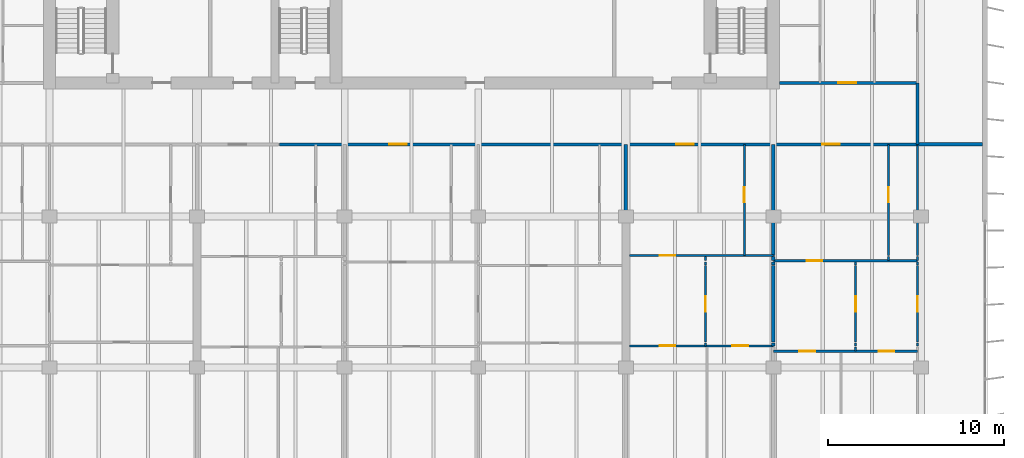
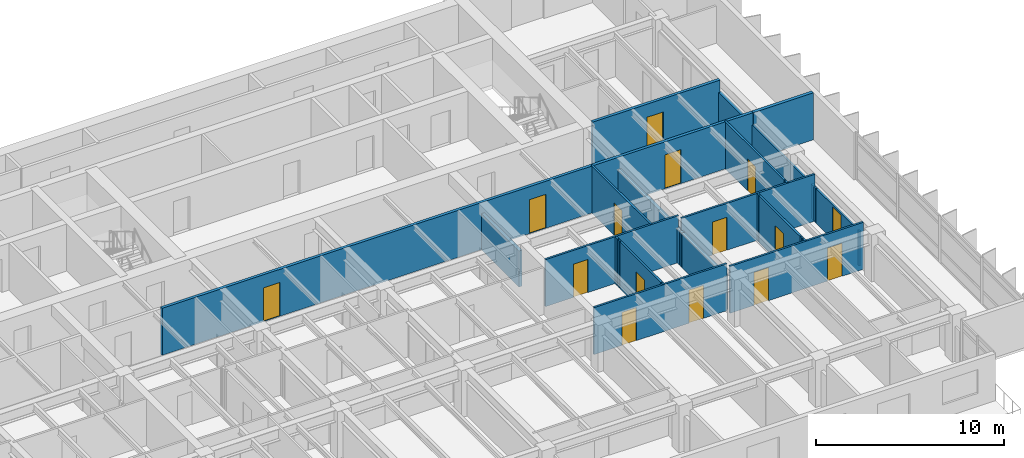
# One storey, part 12 of 19: 30 walls, 15 doors, 15 openings.
"""IFC4 building model written with IfcOpenShell, lengths in metres."""

from ifc_helpers import new_model, si_unit, direction, frame, frame_2d, origin, place, context, subcontext, project, spatial, rectangle, extrude, material, layer, layer_set, type_object, element, fill, save


model = new_model("IFC4")

# Units and contexts
model_context = context("Model", 3, precision=1e-05, world=origin(), true_north=direction((0.0, 1.0)))
body_context = subcontext(model_context, "Body", "Model", "MODEL_VIEW")
ifc_project = project(units=[si_unit("LENGTHUNIT", "METRE"), si_unit("AREAUNIT", "SQUARE_METRE"), si_unit("VOLUMEUNIT", "CUBIC_METRE"), si_unit("PLANEANGLEUNIT", "RADIAN"), si_unit("MASSUNIT", "GRAM", prefix="KILO")], contexts=[model_context])

# Site, building, storey
site_placement = place(None, origin())
site = spatial("IfcSite", under=ifc_project, at=site_placement, CompositionType="ELEMENT")
building_placement = place(site_placement, origin())
building = spatial("IfcBuilding", under=site, at=building_placement, Name="Caelmar Bay Residences", CompositionType="ELEMENT")
storey_placement = place(building_placement, frame((0.0, 0.0, 188.39990234375)))
storey = spatial("IfcBuildingStorey", under=building, at=storey_placement, Name="L52", CompositionType="ELEMENT", Elevation=188.39990234375)

# Wall
ifc_material_1 = material(Name="Double-stud acoustic fire-rated gypsum partition 180 mm")
ifc_layer_1 = layer(ifc_material_1, 0.179931640625)
ifc_layer_set_1 = layer_set([ifc_layer_1], Name="Double-stud acoustic fire-rated gypsum partition 180 mm")
wall_type_1 = type_object("IfcWallType", Name="W-COR-200", PredefinedType="PARTITIONING", material=ifc_layer_set_1)
wall_1_placement = place(storey_placement, frame((67.699951171875, 33.5048828125, 0.0), z_axis=(0.0, 0.0, 1.0), x_axis=(0.0, 1.0, 0.0)))
element("IfcWall", 1, at=wall_1_placement, inside=storey, type_object=wall_type_1, Name="L52 Partition Wall V101", PredefinedType="PARTITIONING", context=body_context, shape_type="SweptSolid", body=[
    extrude(rectangle(XDim=3.4951171875, YDim=0.179931640625, at=frame_2d((1.74755859375, 0.0))), origin(), (0.0, 0.0, 1.0), 2.26318359375),
])

# Wall, openings, doors
wall_2_placement = place(storey_placement, frame((31.39990234375, 33.5, 0.0), z_axis=(0.0, 0.0, 1.0), x_axis=(1.0, 0.0, 0.0)))
wall_2 = element("IfcWall", 2, at=wall_2_placement, inside=storey, type_object=wall_type_1, Name="L52 Partition Wall H126", PredefinedType="PARTITIONING", context=body_context, shape_type="SweptSolid", body=[
    extrude(rectangle(XDim=36.300048828125, YDim=0.179931640625, at=frame_2d((18.14990234375, 0.0))), origin(), (0.0, 0.0, 1.0), 3.050048828125),
])
opening_1_placement = place(wall_2_placement, frame((6.2314453125, 0.0, 0.0)))
opening_1 = element("IfcOpeningElement", 3, at=opening_1_placement, cuts=wall_2, Name="Opening D-L52-139", PredefinedType="OPENING", context=body_context, shape_type="SweptSolid", body=[
    extrude(rectangle(XDim=1.0, YDim=2.199951171875, at=frame_2d((0.5, 1.10009765625))), frame((0.0, 0.099853515625, 0.0), z_axis=(0.0, -1.0, 0.0), x_axis=(1.0, 0.0, 0.0)), (0.0, 0.0, 1.0), 0.199951171875),
])
opening_2_placement = place(wall_2_placement, frame((22.574951171875, 0.0, 0.0)))
opening_2 = element("IfcOpeningElement", 4, at=opening_2_placement, cuts=wall_2, Name="Opening D-L52-148", PredefinedType="OPENING", context=body_context, shape_type="SweptSolid", body=[
    extrude(rectangle(XDim=1.0, YDim=2.199951171875, at=frame_2d((0.5, 1.10009765625))), frame((0.0, 0.099853515625, 0.0), z_axis=(0.0, -1.0, 0.0), x_axis=(1.0, 0.0, 0.0)), (0.0, 0.0, 1.0), 0.199951171875),
])
opening_3_placement = place(wall_2_placement, frame((30.875, 0.0, 0.0)))
opening_3 = element("IfcOpeningElement", 5, at=opening_3_placement, cuts=wall_2, Name="Opening D-L52-154", PredefinedType="OPENING", context=body_context, shape_type="SweptSolid", body=[
    extrude(rectangle(XDim=1.0, YDim=2.199951171875, at=frame_2d((0.5, 1.10009765625))), frame((0.0, 0.099853515625, 0.0), z_axis=(0.0, -1.0, 0.0), x_axis=(1.0, 0.0, 0.0)), (0.0, 0.0, 1.0), 0.199951171875),
])
ifc_material_2 = material(Name="Fire-rated steel and walnut architectural door assembly", Category="steel")
ifc_layer_2 = layer(ifc_material_2, 0.050048828125)
ifc_layer_set_2 = layer_set([ifc_layer_2], Name="Fire-rated steel and walnut architectural door assembly")
door_type_1 = type_object("IfcDoorType", Name="D-UNIT-1000", OperationType="NOTDEFINED", PredefinedType="DOOR", material=ifc_layer_set_2)
door_1_placement = place(opening_1_placement, origin())
door_1 = element("IfcDoor", 6, at=door_1_placement, inside=storey, type_object=door_type_1, Name="L52 Residence 03 Apartment Hall Door", OperationType="SINGLE_SWING_LEFT", OverallHeight=2.199951171875, OverallWidth=1.0, PredefinedType="DOOR", context=body_context, shape_type="SweptSolid", body=[
    extrude(rectangle(XDim=1.0, YDim=2.199951171875, at=frame_2d((0.5, 1.10009765625))), frame((0.0, 0.02490234375, 0.0), z_axis=(0.0, -1.0, 0.0), x_axis=(1.0, 0.0, 0.0)), (0.0, 0.0, 1.0), 0.050048828125),
])
fill(opening_1, door_1)
door_2_placement = place(opening_2_placement, origin())
door_2 = element("IfcDoor", 7, at=door_2_placement, inside=storey, type_object=door_type_1, Name="L52 Residence 04 Apartment Hall Door", OperationType="SINGLE_SWING_RIGHT", OverallHeight=2.199951171875, OverallWidth=1.0, PredefinedType="DOOR", context=body_context, shape_type="SweptSolid", body=[
    extrude(rectangle(XDim=1.0, YDim=2.199951171875, at=frame_2d((0.5, 1.10009765625))), frame((0.0, 0.02490234375, 0.0), z_axis=(0.0, -1.0, 0.0), x_axis=(1.0, 0.0, 0.0)), (0.0, 0.0, 1.0), 0.050048828125),
])
fill(opening_2, door_2)
door_3_placement = place(opening_3_placement, origin())
door_3 = element("IfcDoor", 8, at=door_3_placement, inside=storey, type_object=door_type_1, Name="L52 Residence 05 Apartment Hall Door", OperationType="SINGLE_SWING_RIGHT", OverallHeight=2.199951171875, OverallWidth=1.0, PredefinedType="DOOR", context=body_context, shape_type="SweptSolid", body=[
    extrude(rectangle(XDim=1.0, YDim=2.199951171875, at=frame_2d((0.5, 1.10009765625))), frame((0.0, 0.02490234375, 0.0), z_axis=(0.0, -1.0, 0.0), x_axis=(1.0, 0.0, 0.0)), (0.0, 0.0, 1.0), 0.050048828125),
])
fill(opening_3, door_3)

# Wall, opening, door
wall_3_placement = place(storey_placement, frame((59.85498046875, 37.0, 0.0), z_axis=(0.0, 0.0, 1.0), x_axis=(1.0, 0.0, 0.0)))
wall_3 = element("IfcWall", 9, at=wall_3_placement, inside=storey, type_object=wall_type_1, Name="L52 Partition Wall H129", PredefinedType="PARTITIONING", context=body_context, shape_type="SweptSolid", body=[
    extrude(rectangle(XDim=7.844970703125, YDim=0.179931640625, at=frame_2d((3.92236328125, 0.0))), origin(), (0.0, 0.0, 1.0), 3.050048828125),
])
opening_4_placement = place(wall_3_placement, frame((3.34912109375, 0.0, 0.0)))
opening_4 = element("IfcOpeningElement", 10, at=opening_4_placement, cuts=wall_3, Name="Opening D-L52-171", PredefinedType="OPENING", context=body_context, shape_type="SweptSolid", body=[
    extrude(rectangle(XDim=1.0, YDim=2.199951171875, at=frame_2d((0.5, 1.10009765625))), frame((0.0, 0.099853515625, 0.0), z_axis=(0.0, -1.0, 0.0), x_axis=(1.0, 0.0, 0.0)), (0.0, 0.0, 1.0), 0.199951171875),
])
door_4_placement = place(opening_4_placement, origin())
door_4 = element("IfcDoor", 11, at=door_4_placement, inside=storey, type_object=door_type_1, Name="L52 Residence EA Kitchen Door", OperationType="SINGLE_SWING_LEFT", OverallHeight=2.199951171875, OverallWidth=1.0, PredefinedType="DOOR", context=body_context, shape_type="SweptSolid", body=[
    extrude(rectangle(XDim=1.0, YDim=2.199951171875, at=frame_2d((0.5, 1.10009765625))), frame((0.0, 0.02490234375, 0.0), z_axis=(0.0, -1.0, 0.0), x_axis=(1.0, 0.0, 0.0)), (0.0, 0.0, 1.0), 0.050048828125),
])
fill(opening_4, door_4)

# Wall
ifc_material_3 = material(Name="Acoustic metal-stud gypsum partition 120 mm")
ifc_layer_3 = layer(ifc_material_3, 0.1201171875)
ifc_layer_set_3 = layer_set([ifc_layer_3], Name="Acoustic metal-stud gypsum partition 120 mm")
wall_type_2 = type_object("IfcWallType", Name="W-PRT-120", PredefinedType="PARTITIONING", material=ifc_layer_set_3)
wall_4_placement = place(storey_placement, frame((55.635986328125, 22.0400390625, 0.0), z_axis=(0.0, 0.0, 1.0), x_axis=(0.0, 1.0, 0.0)))
element("IfcWall", 12, at=wall_4_placement, inside=storey, type_object=wall_type_2, Name="L52 Partition Wall V070", PredefinedType="PARTITIONING", context=body_context, shape_type="SweptSolid", body=[
    extrude(rectangle(XDim=0.159912109375, YDim=0.1201171875, at=frame_2d((0.080078125, 0.0))), origin(), (0.0, 0.0, 1.0), 3.050048828125),
])

# Wall, opening, door
wall_5_placement = place(storey_placement, frame((55.635986328125, 22.239990234375, 0.0), z_axis=(0.0, 0.0, 1.0), x_axis=(0.0, 1.0, 0.0)))
wall_5 = element("IfcWall", 13, at=wall_5_placement, inside=storey, type_object=wall_type_2, Name="L52 Partition Wall V071", PredefinedType="PARTITIONING", context=body_context, shape_type="SweptSolid", body=[
    extrude(rectangle(XDim=4.360107421875, YDim=0.1201171875, at=frame_2d((2.18017578125, 0.0))), origin(), (0.0, 0.0, 1.0), 3.050048828125),
])
opening_5_placement = place(wall_5_placement, frame((1.72998046875, 0.0, 0.0)))
opening_5 = element("IfcOpeningElement", 14, at=opening_5_placement, cuts=wall_5, Name="Opening D-L52-151", PredefinedType="OPENING", context=body_context, shape_type="SweptSolid", body=[
    extrude(rectangle(XDim=0.89990234375, YDim=2.14990234375, at=frame_2d((0.449951171875, 1.074951171875))), frame((0.0, 0.070068359375, 0.0), z_axis=(0.0, -1.0, 0.0), x_axis=(1.0, 0.0, 0.0)), (0.0, 0.0, 1.0), 0.14013671875),
])
ifc_material_4 = material(Name="Solid walnut timber interior door leaf and frame", Category="wood")
ifc_layer_4 = layer(ifc_material_4, 0.050048828125)
ifc_layer_set_4 = layer_set([ifc_layer_4], Name="Solid walnut timber interior door leaf and frame")
door_type_2 = type_object("IfcDoorType", Name="D-ROOM-900", OperationType="NOTDEFINED", PredefinedType="DOOR", material=ifc_layer_set_4)
door_5_placement = place(opening_5_placement, origin())
door_5 = element("IfcDoor", 15, at=door_5_placement, inside=storey, type_object=door_type_2, Name="L52 Residence 04 Private Meeting Room Door", OperationType="SINGLE_SWING_LEFT", OverallHeight=2.14990234375, OverallWidth=0.89990234375, PredefinedType="DOOR", context=body_context, shape_type="SweptSolid", body=[
    extrude(rectangle(XDim=0.89990234375, YDim=2.14990234375, at=frame_2d((0.449951171875, 1.074951171875))), frame((0.0, 0.02490234375, 0.0), z_axis=(0.0, -1.0, 0.0), x_axis=(1.0, 0.0, 0.0)), (0.0, 0.0, 1.0), 0.050048828125),
])
fill(opening_5, door_5)

# Walls
wall_6_placement = place(storey_placement, frame((55.635986328125, 26.639892578125, 0.0), z_axis=(0.0, 0.0, 1.0), x_axis=(0.0, 1.0, 0.0)))
element("IfcWall", 16, at=wall_6_placement, inside=storey, type_object=wall_type_2, Name="L52 Partition Wall V072", PredefinedType="PARTITIONING", context=body_context, shape_type="SweptSolid", body=[
    extrude(rectangle(XDim=0.16015625, YDim=0.1201171875, at=frame_2d((0.080078125, 0.0))), origin(), (0.0, 0.0, 1.0), 3.050048828125),
])
wall_7_placement = place(storey_placement, frame((55.635986328125, 26.8798828125, 0.0), z_axis=(0.0, 0.0, 1.0), x_axis=(0.0, 1.0, 0.0)))
element("IfcWall", 17, at=wall_7_placement, inside=storey, type_object=wall_type_2, Name="L52 Partition Wall V073", PredefinedType="PARTITIONING", context=body_context, shape_type="SweptSolid", body=[
    extrude(rectangle(XDim=0.240234375, YDim=0.1201171875, at=frame_2d((0.1201171875, 0.0))), origin(), (0.0, 0.0, 1.0), 3.050048828125),
])

# Wall, opening, door
wall_8_placement = place(storey_placement, frame((57.85009765625, 27.179931640625, 0.0), z_axis=(0.0, 0.0, 1.0), x_axis=(0.0, 1.0, 0.0)))
wall_8 = element("IfcWall", 18, at=wall_8_placement, inside=storey, type_object=wall_type_2, Name="L52 Partition Wall V077", PredefinedType="PARTITIONING", context=body_context, shape_type="SweptSolid", body=[
    extrude(rectangle(XDim=6.320068359375, YDim=0.1201171875, at=frame_2d((3.16015625, 0.0))), origin(), (0.0, 0.0, 1.0), 3.050048828125),
])
opening_6_placement = place(wall_8_placement, frame((3.034912109375, 0.0, 0.0)))
opening_6 = element("IfcOpeningElement", 19, at=opening_6_placement, cuts=wall_8, Name="Opening D-L52-149", PredefinedType="OPENING", context=body_context, shape_type="SweptSolid", body=[
    extrude(rectangle(XDim=0.85009765625, YDim=2.10009765625, at=frame_2d((0.425048828125, 1.050048828125))), frame((0.0, 0.070068359375, 0.0), z_axis=(0.0, -1.0, 0.0), x_axis=(1.0, 0.0, 0.0)), (0.0, 0.0, 1.0), 0.14013671875),
])
ifc_layer_5 = layer(ifc_material_4, 0.050048828125)
ifc_layer_set_5 = layer_set([ifc_layer_5], Name="Solid walnut timber interior door leaf and frame")
door_type_3 = type_object("IfcDoorType", Name="D-BATH-850", OperationType="NOTDEFINED", PredefinedType="DOOR", material=ifc_layer_set_5)
door_6_placement = place(opening_6_placement, origin())
door_6 = element("IfcDoor", 20, at=door_6_placement, inside=storey, type_object=door_type_3, Name="L52 Residence 04 Bathroom Door", OperationType="SINGLE_SWING_LEFT", OverallHeight=2.10009765625, OverallWidth=0.85009765625, PredefinedType="DOOR", context=body_context, shape_type="SweptSolid", body=[
    extrude(rectangle(XDim=0.85009765625, YDim=2.10009765625, at=frame_2d((0.425048828125, 1.050048828125))), frame((0.0, 0.02490234375, 0.0), z_axis=(0.0, -1.0, 0.0), x_axis=(1.0, 0.0, 0.0)), (0.0, 0.0, 1.0), 0.050048828125),
])
fill(opening_6, door_6)

# Walls
wall_9_placement = place(storey_placement, frame((64.177978515625, 21.72998046875, 0.0), z_axis=(0.0, 0.0, 1.0), x_axis=(0.0, 1.0, 0.0)))
element("IfcWall", 21, at=wall_9_placement, inside=storey, type_object=wall_type_2, Name="L52 Partition Wall V088", PredefinedType="PARTITIONING", context=body_context, shape_type="SweptSolid", body=[
    extrude(rectangle(XDim=0.239990234375, YDim=0.1201171875, at=frame_2d((0.1201171875, 0.0))), origin(), (0.0, 0.0, 1.0), 3.050048828125),
])
wall_10_placement = place(storey_placement, frame((64.177978515625, 22.0400390625, 0.0), z_axis=(0.0, 0.0, 1.0), x_axis=(0.0, 1.0, 0.0)))
element("IfcWall", 22, at=wall_10_placement, inside=storey, type_object=wall_type_2, Name="L52 Partition Wall V089", PredefinedType="PARTITIONING", context=body_context, shape_type="SweptSolid", body=[
    extrude(rectangle(XDim=0.159912109375, YDim=0.1201171875, at=frame_2d((0.080078125, 0.0))), origin(), (0.0, 0.0, 1.0), 3.050048828125),
])

# Wall, opening, door
wall_11_placement = place(storey_placement, frame((64.177978515625, 22.239990234375, 0.0), z_axis=(0.0, 0.0, 1.0), x_axis=(0.0, 1.0, 0.0)))
wall_11 = element("IfcWall", 23, at=wall_11_placement, inside=storey, type_object=wall_type_2, Name="L52 Partition Wall V090", PredefinedType="PARTITIONING", context=body_context, shape_type="SweptSolid", body=[
    extrude(rectangle(XDim=4.360107421875, YDim=0.1201171875, at=frame_2d((2.18017578125, 0.0))), origin(), (0.0, 0.0, 1.0), 3.050048828125),
])
opening_7_placement = place(wall_11_placement, frame((1.72998046875, 0.0, 0.0)))
opening_7 = element("IfcOpeningElement", 24, at=opening_7_placement, cuts=wall_11, Name="Opening D-L52-157", PredefinedType="OPENING", context=body_context, shape_type="SweptSolid", body=[
    extrude(rectangle(XDim=0.89990234375, YDim=2.14990234375, at=frame_2d((0.449951171875, 1.074951171875))), frame((0.0, 0.070068359375, 0.0), z_axis=(0.0, -1.0, 0.0), x_axis=(1.0, 0.0, 0.0)), (0.0, 0.0, 1.0), 0.14013671875),
])
door_7_placement = place(opening_7_placement, origin())
door_7 = element("IfcDoor", 25, at=door_7_placement, inside=storey, type_object=door_type_2, Name="L52 Residence 05 Private Meeting Room Door", OperationType="SINGLE_SWING_LEFT", OverallHeight=2.14990234375, OverallWidth=0.89990234375, PredefinedType="DOOR", context=body_context, shape_type="SweptSolid", body=[
    extrude(rectangle(XDim=0.89990234375, YDim=2.14990234375, at=frame_2d((0.449951171875, 1.074951171875))), frame((0.0, 0.02490234375, 0.0), z_axis=(0.0, -1.0, 0.0), x_axis=(1.0, 0.0, 0.0)), (0.0, 0.0, 1.0), 0.050048828125),
])
fill(opening_7, door_7)

# Walls
wall_12_placement = place(storey_placement, frame((64.177978515625, 26.639892578125, 0.0), z_axis=(0.0, 0.0, 1.0), x_axis=(0.0, 1.0, 0.0)))
element("IfcWall", 26, at=wall_12_placement, inside=storey, type_object=wall_type_2, Name="L52 Partition Wall V091", PredefinedType="PARTITIONING", context=body_context, shape_type="SweptSolid", body=[
    extrude(rectangle(XDim=0.16015625, YDim=0.1201171875, at=frame_2d((0.080078125, 0.0))), origin(), (0.0, 0.0, 1.0), 3.050048828125),
])
wall_13_placement = place(storey_placement, frame((66.050048828125, 26.8798828125, 0.0), z_axis=(0.0, 0.0, 1.0), x_axis=(0.0, 1.0, 0.0)))
element("IfcWall", 27, at=wall_13_placement, inside=storey, type_object=wall_type_2, Name="L52 Partition Wall V093", PredefinedType="PARTITIONING", context=body_context, shape_type="SweptSolid", body=[
    extrude(rectangle(XDim=0.240234375, YDim=0.1201171875, at=frame_2d((0.1201171875, 0.0))), origin(), (0.0, 0.0, 1.0), 3.050048828125),
])

# Wall, opening, door
wall_14_placement = place(storey_placement, frame((66.050048828125, 27.179931640625, 0.0), z_axis=(0.0, 0.0, 1.0), x_axis=(0.0, 1.0, 0.0)))
wall_14 = element("IfcWall", 28, at=wall_14_placement, inside=storey, type_object=wall_type_2, Name="L52 Partition Wall V094", PredefinedType="PARTITIONING", context=body_context, shape_type="SweptSolid", body=[
    extrude(rectangle(XDim=6.320068359375, YDim=0.1201171875, at=frame_2d((3.16015625, 0.0))), origin(), (0.0, 0.0, 1.0), 3.050048828125),
])
opening_8_placement = place(wall_14_placement, frame((3.034912109375, 0.0, 0.0)))
opening_8 = element("IfcOpeningElement", 29, at=opening_8_placement, cuts=wall_14, Name="Opening D-L52-155", PredefinedType="OPENING", context=body_context, shape_type="SweptSolid", body=[
    extrude(rectangle(XDim=0.85009765625, YDim=2.10009765625, at=frame_2d((0.425048828125, 1.050048828125))), frame((0.0, 0.070068359375, 0.0), z_axis=(0.0, -1.0, 0.0), x_axis=(1.0, 0.0, 0.0)), (0.0, 0.0, 1.0), 0.14013671875),
])
door_8_placement = place(opening_8_placement, origin())
door_8 = element("IfcDoor", 30, at=door_8_placement, inside=storey, type_object=door_type_3, Name="L52 Residence 05 Bathroom Door", OperationType="SINGLE_SWING_LEFT", OverallHeight=2.10009765625, OverallWidth=0.85009765625, PredefinedType="DOOR", context=body_context, shape_type="SweptSolid", body=[
    extrude(rectangle(XDim=0.85009765625, YDim=2.10009765625, at=frame_2d((0.425048828125, 1.050048828125))), frame((0.0, 0.02490234375, 0.0), z_axis=(0.0, -1.0, 0.0), x_axis=(1.0, 0.0, 0.0)), (0.0, 0.0, 1.0), 0.050048828125),
])
fill(opening_8, door_8)

# Wall
wall_15_placement = place(storey_placement, frame((67.699951171875, 22.0400390625, 0.0), z_axis=(0.0, 0.0, 1.0), x_axis=(0.0, 1.0, 0.0)))
element("IfcWall", 31, at=wall_15_placement, inside=storey, type_object=wall_type_2, Name="L52 Partition Wall V096", PredefinedType="PARTITIONING", context=body_context, shape_type="SweptSolid", body=[
    extrude(rectangle(XDim=0.159912109375, YDim=0.1201171875, at=frame_2d((0.080078125, 0.0))), origin(), (0.0, 0.0, 1.0), 2.26318359375),
])

# Wall, opening, door
wall_16_placement = place(storey_placement, frame((67.699951171875, 22.239990234375, 0.0), z_axis=(0.0, 0.0, 1.0), x_axis=(0.0, 1.0, 0.0)))
wall_16 = element("IfcWall", 32, at=wall_16_placement, inside=storey, type_object=wall_type_2, Name="L52 Partition Wall V097", PredefinedType="PARTITIONING", context=body_context, shape_type="SweptSolid", body=[
    extrude(rectangle(XDim=4.360107421875, YDim=0.1201171875, at=frame_2d((2.18017578125, 0.0))), origin(), (0.0, 0.0, 1.0), 2.26318359375),
])
opening_9_placement = place(wall_16_placement, frame((1.72998046875, 0.0, 0.0)))
opening_9 = element("IfcOpeningElement", 33, at=opening_9_placement, cuts=wall_16, Name="Opening D-L52-162", PredefinedType="OPENING", context=body_context, shape_type="SweptSolid", body=[
    extrude(rectangle(XDim=0.89990234375, YDim=2.14990234375, at=frame_2d((0.449951171875, 1.074951171875))), frame((0.0, 0.070068359375, 0.0), z_axis=(0.0, -1.0, 0.0), x_axis=(1.0, 0.0, 0.0)), (0.0, 0.0, 1.0), 0.14013671875),
])
door_9_placement = place(opening_9_placement, origin())
door_9 = element("IfcDoor", 34, at=door_9_placement, inside=storey, type_object=door_type_2, Name="L52 Residence 05 Penthouse East Salon Door", OperationType="SINGLE_SWING_RIGHT", OverallHeight=2.14990234375, OverallWidth=0.89990234375, PredefinedType="DOOR", context=body_context, shape_type="SweptSolid", body=[
    extrude(rectangle(XDim=0.89990234375, YDim=2.14990234375, at=frame_2d((0.449951171875, 1.074951171875))), frame((0.0, 0.02490234375, 0.0), z_axis=(0.0, -1.0, 0.0), x_axis=(1.0, 0.0, 0.0)), (0.0, 0.0, 1.0), 0.050048828125),
])
fill(opening_9, door_9)

# Walls
wall_17_placement = place(storey_placement, frame((67.699951171875, 26.639892578125, 0.0), z_axis=(0.0, 0.0, 1.0), x_axis=(0.0, 1.0, 0.0)))
element("IfcWall", 35, at=wall_17_placement, inside=storey, type_object=wall_type_2, Name="L52 Partition Wall V098", PredefinedType="PARTITIONING", context=body_context, shape_type="SweptSolid", body=[
    extrude(rectangle(XDim=0.16015625, YDim=0.1201171875, at=frame_2d((0.080078125, 0.0))), origin(), (0.0, 0.0, 1.0), 2.26318359375),
])
wall_18_placement = place(storey_placement, frame((67.699951171875, 26.8798828125, 0.0), z_axis=(0.0, 0.0, 1.0), x_axis=(0.0, 1.0, 0.0)))
element("IfcWall", 36, at=wall_18_placement, inside=storey, type_object=wall_type_2, Name="L52 Partition Wall V099", PredefinedType="PARTITIONING", context=body_context, shape_type="SweptSolid", body=[
    extrude(rectangle(XDim=0.240234375, YDim=0.1201171875, at=frame_2d((0.1201171875, 0.0))), origin(), (0.0, 0.0, 1.0), 2.26318359375),
])
wall_19_placement = place(storey_placement, frame((67.699951171875, 27.179931640625, 0.0), z_axis=(0.0, 0.0, 1.0), x_axis=(0.0, 1.0, 0.0)))
element("IfcWall", 37, at=wall_19_placement, inside=storey, type_object=wall_type_2, Name="L52 Partition Wall V100", PredefinedType="PARTITIONING", context=body_context, shape_type="SweptSolid", body=[
    extrude(rectangle(XDim=6.320068359375, YDim=0.1201171875, at=frame_2d((3.16015625, 0.0))), origin(), (0.0, 0.0, 1.0), 2.26318359375),
])

# Wall, openings, doors
wall_20_placement = place(storey_placement, frame((59.5, 21.72998046875, 0.0), z_axis=(0.0, 0.0, 1.0), x_axis=(1.0, 0.0, 0.0)))
wall_20 = element("IfcWall", 38, at=wall_20_placement, inside=storey, type_object=wall_type_2, Name="L52 Partition Wall H107", PredefinedType="PARTITIONING", context=body_context, shape_type="SweptSolid", body=[
    extrude(rectangle(XDim=8.199951171875, YDim=0.1201171875, at=frame_2d((4.10009765625, 0.0))), origin(), (0.0, 0.0, 1.0), 3.050048828125),
])
opening_10_placement = place(wall_20_placement, frame((1.47705078125, 0.0, 0.0)))
opening_10 = element("IfcOpeningElement", 39, at=opening_10_placement, cuts=wall_20, Name="Opening D-L52-158", PredefinedType="OPENING", context=body_context, shape_type="SweptSolid", body=[
    extrude(rectangle(XDim=0.89990234375, YDim=2.14990234375, at=frame_2d((0.449951171875, 1.074951171875))), frame((0.0, 0.070068359375, 0.0), z_axis=(0.0, -1.0, 0.0), x_axis=(1.0, 0.0, 0.0)), (0.0, 0.0, 1.0), 0.14013671875),
])
opening_11_placement = place(wall_20_placement, frame((5.989013671875, 0.0, 0.0)))
opening_11 = element("IfcOpeningElement", 40, at=opening_11_placement, cuts=wall_20, Name="Opening D-L52-159", PredefinedType="OPENING", context=body_context, shape_type="SweptSolid", body=[
    extrude(rectangle(XDim=0.89990234375, YDim=2.14990234375, at=frame_2d((0.449951171875, 1.074951171875))), frame((0.0, 0.070068359375, 0.0), z_axis=(0.0, -1.0, 0.0), x_axis=(1.0, 0.0, 0.0)), (0.0, 0.0, 1.0), 0.14013671875),
])
door_10_placement = place(opening_10_placement, origin())
door_10 = element("IfcDoor", 41, at=door_10_placement, inside=storey, type_object=door_type_2, Name="L52 Residence 05 Living Room Door", OperationType="SINGLE_SWING_RIGHT", OverallHeight=2.14990234375, OverallWidth=0.89990234375, PredefinedType="DOOR", context=body_context, shape_type="SweptSolid", body=[
    extrude(rectangle(XDim=0.89990234375, YDim=2.14990234375, at=frame_2d((0.449951171875, 1.074951171875))), frame((0.0, 0.02490234375, 0.0), z_axis=(0.0, -1.0, 0.0), x_axis=(1.0, 0.0, 0.0)), (0.0, 0.0, 1.0), 0.050048828125),
])
fill(opening_10, door_10)
door_11_placement = place(opening_11_placement, origin())
door_11 = element("IfcDoor", 42, at=door_11_placement, inside=storey, type_object=door_type_2, Name="L52 Residence 05 Bedroom 2 Door", OperationType="SINGLE_SWING_LEFT", OverallHeight=2.14990234375, OverallWidth=0.89990234375, PredefinedType="DOOR", context=body_context, shape_type="SweptSolid", body=[
    extrude(rectangle(XDim=0.89990234375, YDim=2.14990234375, at=frame_2d((0.449951171875, 1.074951171875))), frame((0.0, 0.02490234375, 0.0), z_axis=(0.0, -1.0, 0.0), x_axis=(1.0, 0.0, 0.0)), (0.0, 0.0, 1.0), 0.050048828125),
])
fill(opening_11, door_11)

wall_21_placement = place(storey_placement, frame((51.320068359375, 22.030029296875, 0.0), z_axis=(0.0, 0.0, 1.0), x_axis=(1.0, 0.0, 0.0)))
wall_21 = element("IfcWall", 43, at=wall_21_placement, inside=storey, type_object=wall_type_2, Name="L52 Partition Wall H111", PredefinedType="PARTITIONING", context=body_context, shape_type="SweptSolid", body=[
    extrude(rectangle(XDim=8.179931640625, YDim=0.1201171875, at=frame_2d((4.08984375, 0.0))), origin(), (0.0, 0.0, 1.0), 3.050048828125),
])
opening_12_placement = place(wall_21_placement, frame((1.7080078125, 0.0, 0.0)))
opening_12 = element("IfcOpeningElement", 44, at=opening_12_placement, cuts=wall_21, Name="Opening D-L52-152", PredefinedType="OPENING", context=body_context, shape_type="SweptSolid", body=[
    extrude(rectangle(XDim=0.89990234375, YDim=2.14990234375, at=frame_2d((0.449951171875, 1.074951171875))), frame((0.0, 0.070068359375, 0.0), z_axis=(0.0, -1.0, 0.0), x_axis=(1.0, 0.0, 0.0)), (0.0, 0.0, 1.0), 0.14013671875),
])
opening_13_placement = place(wall_21_placement, frame((5.840087890625, 0.0, 0.0)))
opening_13 = element("IfcOpeningElement", 45, at=opening_13_placement, cuts=wall_21, Name="Opening D-L52-153", PredefinedType="OPENING", context=body_context, shape_type="SweptSolid", body=[
    extrude(rectangle(XDim=0.89990234375, YDim=2.14990234375, at=frame_2d((0.449951171875, 1.074951171875))), frame((0.0, 0.070068359375, 0.0), z_axis=(0.0, -1.0, 0.0), x_axis=(1.0, 0.0, 0.0)), (0.0, 0.0, 1.0), 0.14013671875),
])
door_12_placement = place(opening_12_placement, origin())
door_12 = element("IfcDoor", 46, at=door_12_placement, inside=storey, type_object=door_type_2, Name="L52 Residence 04 Living Room Door", OperationType="SINGLE_SWING_RIGHT", OverallHeight=2.14990234375, OverallWidth=0.89990234375, PredefinedType="DOOR", context=body_context, shape_type="SweptSolid", body=[
    extrude(rectangle(XDim=0.89990234375, YDim=2.14990234375, at=frame_2d((0.449951171875, 1.074951171875))), frame((0.0, 0.02490234375, 0.0), z_axis=(0.0, -1.0, 0.0), x_axis=(1.0, 0.0, 0.0)), (0.0, 0.0, 1.0), 0.050048828125),
])
fill(opening_12, door_12)
door_13_placement = place(opening_13_placement, origin())
door_13 = element("IfcDoor", 47, at=door_13_placement, inside=storey, type_object=door_type_2, Name="L52 Residence 04 Primary Bedroom Door", OperationType="SINGLE_SWING_LEFT", OverallHeight=2.14990234375, OverallWidth=0.89990234375, PredefinedType="DOOR", context=body_context, shape_type="SweptSolid", body=[
    extrude(rectangle(XDim=0.89990234375, YDim=2.14990234375, at=frame_2d((0.449951171875, 1.074951171875))), frame((0.0, 0.02490234375, 0.0), z_axis=(0.0, -1.0, 0.0), x_axis=(1.0, 0.0, 0.0)), (0.0, 0.0, 1.0), 0.050048828125),
])
fill(opening_13, door_13)

# Wall, opening, door
wall_22_placement = place(storey_placement, frame((59.5, 26.8798828125, 0.0), z_axis=(0.0, 0.0, 1.0), x_axis=(1.0, 0.0, 0.0)))
wall_22 = element("IfcWall", 48, at=wall_22_placement, inside=storey, type_object=wall_type_2, Name="L52 Partition Wall H119", PredefinedType="PARTITIONING", context=body_context, shape_type="SweptSolid", body=[
    extrude(rectangle(XDim=8.199951171875, YDim=0.1201171875, at=frame_2d((4.10009765625, 0.0))), origin(), (0.0, 0.0, 1.0), 3.050048828125),
])
opening_14_placement = place(wall_22_placement, frame((1.888916015625, 0.0, 0.0)))
opening_14 = element("IfcOpeningElement", 49, at=opening_14_placement, cuts=wall_22, Name="Opening D-L52-156", PredefinedType="OPENING", context=body_context, shape_type="SweptSolid", body=[
    extrude(rectangle(XDim=0.89990234375, YDim=2.14990234375, at=frame_2d((0.449951171875, 1.074951171875))), frame((0.0, 0.070068359375, 0.0), z_axis=(0.0, -1.0, 0.0), x_axis=(1.0, 0.0, 0.0)), (0.0, 0.0, 1.0), 0.14013671875),
])
door_14_placement = place(opening_14_placement, origin())
door_14 = element("IfcDoor", 50, at=door_14_placement, inside=storey, type_object=door_type_2, Name="L52 Residence 05 Kitchen Door", OperationType="SINGLE_SWING_RIGHT", OverallHeight=2.14990234375, OverallWidth=0.89990234375, PredefinedType="DOOR", context=body_context, shape_type="SweptSolid", body=[
    extrude(rectangle(XDim=0.89990234375, YDim=2.14990234375, at=frame_2d((0.449951171875, 1.074951171875))), frame((0.0, 0.02490234375, 0.0), z_axis=(0.0, -1.0, 0.0), x_axis=(1.0, 0.0, 0.0)), (0.0, 0.0, 1.0), 0.050048828125),
])
fill(opening_14, door_14)

wall_23_placement = place(storey_placement, frame((51.320068359375, 27.179931640625, 0.0), z_axis=(0.0, 0.0, 1.0), x_axis=(1.0, 0.0, 0.0)))
wall_23 = element("IfcWall", 51, at=wall_23_placement, inside=storey, type_object=wall_type_2, Name="L52 Partition Wall H122", PredefinedType="PARTITIONING", context=body_context, shape_type="SweptSolid", body=[
    extrude(rectangle(XDim=8.179931640625, YDim=0.1201171875, at=frame_2d((4.08984375, 0.0))), origin(), (0.0, 0.0, 1.0), 3.050048828125),
])
opening_15_placement = place(wall_23_placement, frame((1.7080078125, 0.0, 0.0)))
opening_15 = element("IfcOpeningElement", 52, at=opening_15_placement, cuts=wall_23, Name="Opening D-L52-150", PredefinedType="OPENING", context=body_context, shape_type="SweptSolid", body=[
    extrude(rectangle(XDim=0.89990234375, YDim=2.14990234375, at=frame_2d((0.449951171875, 1.074951171875))), frame((0.0, 0.070068359375, 0.0), z_axis=(0.0, -1.0, 0.0), x_axis=(1.0, 0.0, 0.0)), (0.0, 0.0, 1.0), 0.14013671875),
])
door_15_placement = place(opening_15_placement, origin())
door_15 = element("IfcDoor", 53, at=door_15_placement, inside=storey, type_object=door_type_2, Name="L52 Residence 04 Kitchen Door", OperationType="SINGLE_SWING_RIGHT", OverallHeight=2.14990234375, OverallWidth=0.89990234375, PredefinedType="DOOR", context=body_context, shape_type="SweptSolid", body=[
    extrude(rectangle(XDim=0.89990234375, YDim=2.14990234375, at=frame_2d((0.449951171875, 1.074951171875))), frame((0.0, 0.02490234375, 0.0), z_axis=(0.0, -1.0, 0.0), x_axis=(1.0, 0.0, 0.0)), (0.0, 0.0, 1.0), 0.050048828125),
])
fill(opening_15, door_15)

# Walls
ifc_material_5 = material(Name="Acoustic twin-stud fire-rated inter-tenancy partition 200 mm")
ifc_layer_6 = layer(ifc_material_5, 0.199951171875)
ifc_layer_set_6 = layer_set([ifc_layer_6], Name="Acoustic twin-stud fire-rated inter-tenancy partition 200 mm")
wall_type_3 = type_object("IfcWallType", Name="W-PTY-200", PredefinedType="PARTITIONING", material=ifc_layer_set_6)
wall_24_placement = place(storey_placement, frame((51.10009765625, 29.405029296875, 0.0), z_axis=(0.0, 0.0, 1.0), x_axis=(0.0, 1.0, 0.0)))
element("IfcWall", 54, at=wall_24_placement, inside=storey, type_object=wall_type_3, Name="L52 Partition Wall V067", PredefinedType="PARTITIONING", context=body_context, shape_type="SweptSolid", body=[
    extrude(rectangle(XDim=4.094970703125, YDim=0.199951171875, at=frame_2d((2.04736328125, 0.0))), origin(), (0.0, 0.0, 1.0), 2.335205078125),
])
wall_25_placement = place(storey_placement, frame((59.5, 22.0400390625, 0.0), z_axis=(0.0, 0.0, 1.0), x_axis=(0.0, 1.0, 0.0)))
element("IfcWall", 55, at=wall_25_placement, inside=storey, type_object=wall_type_3, Name="L52 Partition Wall V080", PredefinedType="PARTITIONING", context=body_context, shape_type="SweptSolid", body=[
    extrude(rectangle(XDim=0.159912109375, YDim=0.199951171875, at=frame_2d((0.080078125, 0.0))), origin(), (0.0, 0.0, 1.0), 2.26318359375),
])
wall_26_placement = place(storey_placement, frame((59.5, 22.239990234375, 0.0), z_axis=(0.0, 0.0, 1.0), x_axis=(0.0, 1.0, 0.0)))
element("IfcWall", 56, at=wall_26_placement, inside=storey, type_object=wall_type_3, Name="L52 Partition Wall V081", PredefinedType="PARTITIONING", context=body_context, shape_type="SweptSolid", body=[
    extrude(rectangle(XDim=4.360107421875, YDim=0.199951171875, at=frame_2d((2.18017578125, 0.0))), origin(), (0.0, 0.0, 1.0), 2.26318359375),
])
wall_27_placement = place(storey_placement, frame((59.5, 26.639892578125, 0.0), z_axis=(0.0, 0.0, 1.0), x_axis=(0.0, 1.0, 0.0)))
element("IfcWall", 57, at=wall_27_placement, inside=storey, type_object=wall_type_3, Name="L52 Partition Wall V082", PredefinedType="PARTITIONING", context=body_context, shape_type="SweptSolid", body=[
    extrude(rectangle(XDim=0.16015625, YDim=0.199951171875, at=frame_2d((0.080078125, 0.0))), origin(), (0.0, 0.0, 1.0), 2.26318359375),
])
wall_28_placement = place(storey_placement, frame((59.5, 26.8798828125, 0.0), z_axis=(0.0, 0.0, 1.0), x_axis=(0.0, 1.0, 0.0)))
element("IfcWall", 58, at=wall_28_placement, inside=storey, type_object=wall_type_3, Name="L52 Partition Wall V083", PredefinedType="PARTITIONING", context=body_context, shape_type="SweptSolid", body=[
    extrude(rectangle(XDim=0.240234375, YDim=0.199951171875, at=frame_2d((0.1201171875, 0.0))), origin(), (0.0, 0.0, 1.0), 2.26318359375),
])
wall_29_placement = place(storey_placement, frame((59.5, 27.179931640625, 0.0), z_axis=(0.0, 0.0, 1.0), x_axis=(0.0, 1.0, 0.0)))
element("IfcWall", 59, at=wall_29_placement, inside=storey, type_object=wall_type_3, Name="L52 Partition Wall V084", PredefinedType="PARTITIONING", context=body_context, shape_type="SweptSolid", body=[
    extrude(rectangle(XDim=6.320068359375, YDim=0.199951171875, at=frame_2d((3.16015625, 0.0))), origin(), (0.0, 0.0, 1.0), 2.26318359375),
])
wall_30_placement = place(storey_placement, frame((67.705078125, 33.5, 0.0), z_axis=(0.0, 0.0, 1.0), x_axis=(1.0, 0.0, 0.0)))
element("IfcWall", 60, at=wall_30_placement, inside=storey, type_object=wall_type_3, Name="L52 Partition Wall H127", PredefinedType="PARTITIONING", context=body_context, shape_type="SweptSolid", body=[
    extrude(rectangle(XDim=3.699951171875, YDim=0.199951171875, at=frame_2d((1.85009765625, 0.0))), origin(), (0.0, 0.0, 1.0), 3.050048828125),
])

save(model, "model.ifc")
